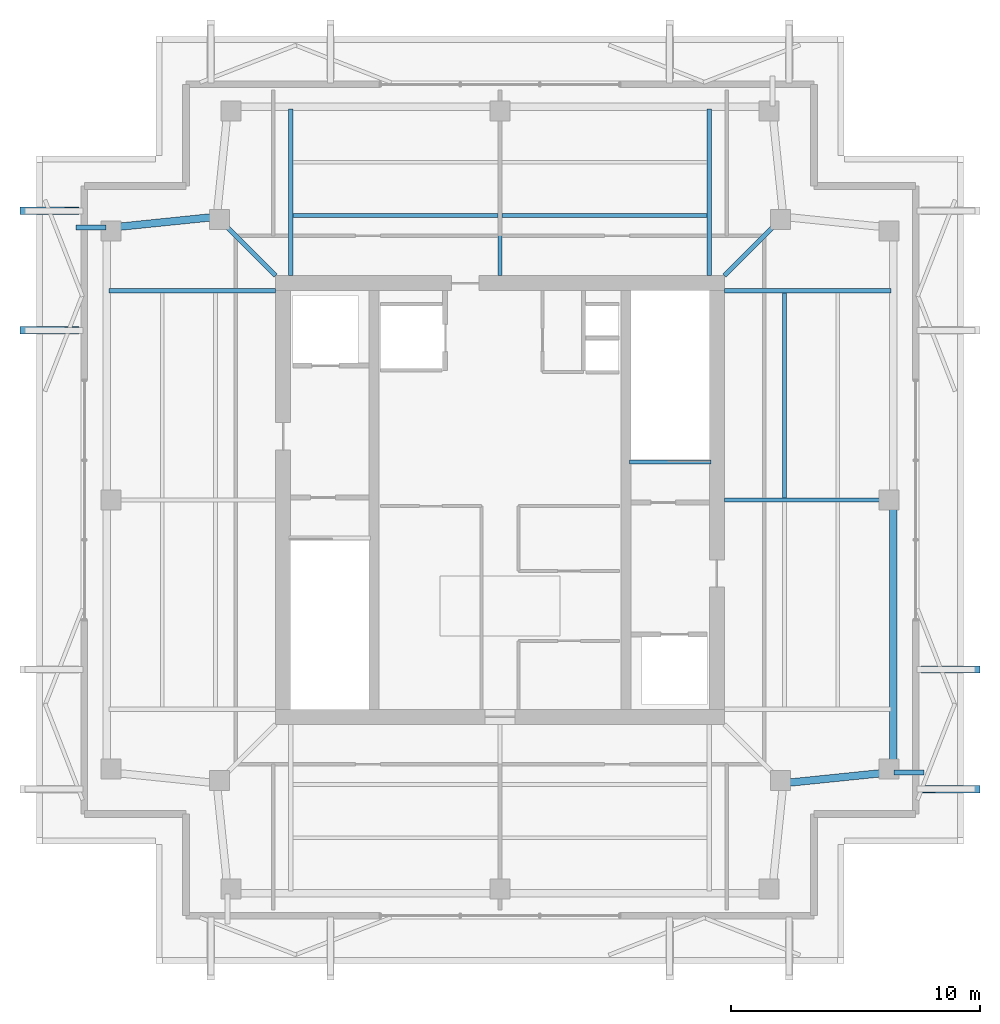
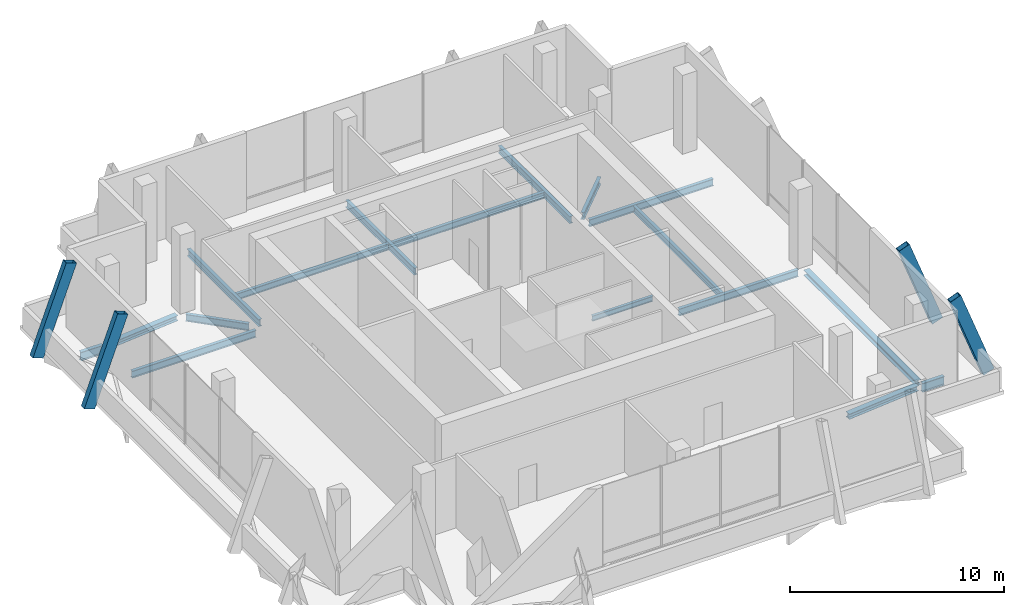
# One storey, part 7 of 15: 17 beams, 4 members.
"""IFC4 building model written with IfcOpenShell, lengths in metres."""

import ifcopenshell
import ifcopenshell.guid

model = None  # the IFC model being written
_history = None  # IfcOwnerHistory: only IFC2X3 demands one
_inside = {}  # id of a spatial element -> (the spatial element, [elements in it])
_under = {}  # id of a project, library or spatial element -> (it, [spatial elements below it])
_declared = {}  # id of a project -> (the project, [libraries it declares])
_typed = {}  # id of a type object -> (the type object, [elements of that type])
_made_of = {}  # id of a material, layer set ... -> (it, [elements and type objects made of it])


def new_model(schema):
    """Start an empty IFC model of exactly this schema.

    Asked for "IFC4X3", IfcOpenShell would pick the latest addendum, in which some entities
    have other attributes; the version numbers below select the first issue.
    IFC2X3 requires an IfcOwnerHistory on every rooted entity: one is made here for all.
    """
    global model, _history
    if schema == "IFC4X3":
        model = ifcopenshell.file(schema_version=(4, 3, 0, 0))
    else:
        model = ifcopenshell.file(schema=schema)
    _inside.clear()
    _under.clear()
    _declared.clear()
    _typed.clear()
    _made_of.clear()
    _history = None
    if model.schema == "IFC2X3":
        org = make("IfcOrganization", Name="unknown")
        user = make(
            "IfcPersonAndOrganization",
            ThePerson=make("IfcPerson", FamilyName="unknown"),
            TheOrganization=org,
        )
        app = make(
            "IfcApplication",
            ApplicationDeveloper=org,
            Version="unknown",
            ApplicationFullName="unknown",
            ApplicationIdentifier="unknown",
        )
        _history = make(
            "IfcOwnerHistory",
            OwningUser=user,
            OwningApplication=app,
            ChangeAction="ADDED",
            CreationDate=0,
        )
    return model


def make(cls, **values):
    """One entity of the class cls with the attributes given. An attribute that is None is left unset."""
    return model.create_entity(
        cls, **{name: value for name, value in values.items() if value is not None}
    )


def rooted(cls, **values):
    """An entity with a GlobalId (a new one), such as an element, a storey or a relation."""
    return make(cls, GlobalId=ifcopenshell.guid.new(), OwnerHistory=_history, **values)


def si_unit(unit_type, name, prefix=None):
    """IfcSIUnit, for example si_unit("LENGTHUNIT", "METRE", prefix="MILLI")."""
    return make("IfcSIUnit", UnitType=unit_type, Prefix=prefix, Name=name)


def assignment(units):
    """IfcUnitAssignment: the units of a project."""
    return None if units is None else make("IfcUnitAssignment", Units=units)


def point(xyz):
    """IfcCartesianPoint."""
    return None if xyz is None else make("IfcCartesianPoint", Coordinates=xyz)


def direction(xyz):
    """IfcDirection."""
    return None if xyz is None else make("IfcDirection", DirectionRatios=xyz)


def frame(location, z_axis=None, x_axis=None):
    """IfcAxis2Placement3D, a coordinate frame: its origin and axes. An axis left out is left unset."""
    return make(
        "IfcAxis2Placement3D",
        Location=point(location),
        Axis=direction(z_axis),
        RefDirection=direction(x_axis),
    )


def frame_2d(location, x_axis=None):
    """IfcAxis2Placement2D, a coordinate frame in the plane: its origin and x axis."""
    return make(
        "IfcAxis2Placement2D", Location=point(location), RefDirection=direction(x_axis)
    )


def origin():
    """The frame at (0, 0, 0) with its axes left unset."""
    return frame((0.0, 0.0, 0.0))


def origin_2d():
    """The frame at (0, 0) in the plane with its x axis left unset."""
    return frame_2d((0.0, 0.0))


def place(relative_to, where):
    """IfcLocalPlacement: puts the frame where relative to a parent placement (None: the world)."""
    return make(
        "IfcLocalPlacement", PlacementRelTo=relative_to, RelativePlacement=where
    )


def context(
    kind, dimensions, precision=None, world=None, true_north=None, identifier=None
):
    """IfcGeometricRepresentationContext, for example the 3D "Model" context."""
    return make(
        "IfcGeometricRepresentationContext",
        ContextIdentifier=identifier,
        ContextType=kind,
        CoordinateSpaceDimension=dimensions,
        Precision=precision,
        WorldCoordinateSystem=world,
        TrueNorth=true_north,
    )


def subcontext(parent, identifier, kind, view, scale=None):
    """IfcGeometricRepresentationSubContext, for example "Body" below "Model"."""
    return make(
        "IfcGeometricRepresentationSubContext",
        ContextIdentifier=identifier,
        ContextType=kind,
        ParentContext=parent,
        TargetScale=scale,
        TargetView=view,
    )


def project(units=None, contexts=None):
    """IfcProject with its units and contexts."""
    return rooted(
        "IfcProject",
        Name="project",
        RepresentationContexts=contexts,
        UnitsInContext=assignment(units),
    )


def spatial(cls, under=None, at=None, **own):
    """A site, building, storey or space (cls), placed at a placement, below another one or the project."""
    s = rooted(cls, ObjectPlacement=at, **own)
    if under is not None:
        _under.setdefault(under.id(), (under, []))[1].append(s)
    return s


def profile(cls, at=None, kind="AREA", **sizes):
    """A parametric profile (cls). Its sizes go by their IFC names, for example OverallWidth=200.0."""
    return make(cls, ProfileType=kind, Position=at, **sizes)


def hollow_rectangle(**sizes):
    """IfcRectangleHollowProfileDef."""
    return profile("IfcRectangleHollowProfileDef", **sizes)


def i_section(**sizes):
    """IfcIShapeProfileDef."""
    return profile("IfcIShapeProfileDef", **sizes)


def extrude(swept, where, along, depth):
    """IfcExtrudedAreaSolid: the profile swept, set in the frame where, extruded along a direction by depth."""
    return make(
        "IfcExtrudedAreaSolid",
        SweptArea=swept,
        Position=where,
        ExtrudedDirection=direction(along),
        Depth=depth,
    )


def shape(context_of_items, identifier, shape_type, items):
    """IfcShapeRepresentation: the items that make up one representation, for example the "Body"."""
    return make(
        "IfcShapeRepresentation",
        ContextOfItems=context_of_items,
        RepresentationIdentifier=identifier,
        RepresentationType=shape_type,
        Items=items,
    )


def material(Name=None, Category=None):
    """IfcMaterial."""
    return make("IfcMaterial", Name=Name, Category=Category)


def material_profile(
    of_material, cross_section, Name=None, Category=None, Priority=None
):
    """IfcMaterialProfile: a cross section and its material."""
    return make(
        "IfcMaterialProfile",
        Name=Name,
        Material=of_material,
        Profile=cross_section,
        Priority=Priority,
        Category=Category,
    )


def profile_set(profiles, Name=None, composite=None):
    """IfcMaterialProfileSet."""
    return make(
        "IfcMaterialProfileSet",
        Name=Name,
        MaterialProfiles=profiles,
        CompositeProfile=composite,
    )


def made_of(thing, what):
    """Note that an element or type object is made of a material, layer set ...; save() writes the relation."""
    if what is not None:
        _made_of.setdefault(what.id(), (what, []))[1].append(thing)
    return thing


def type_object(cls, material=None, **own):
    """A type object (cls), such as IfcWallType, which elements share."""
    return made_of(rooted(cls, **own), material)


def element(
    cls,
    number,
    at=None,
    inside=None,
    cuts=None,
    type_object=None,
    material=None,
    context=None,
    identifier="Body",
    shape_type=None,
    held_by="IfcProductDefinitionShape",
    body=None,
    shapes=None,
    **own,
):
    """One element of the class cls, such as IfcWall. Its Tag is "e" and its number.

    at: its placement. inside: the storey or other place that contains it. cuts: it is an
    opening in that element (IfcRelVoidsElement). A single representation is given by context,
    identifier, shape_type and body (its items); several are given by shapes. held_by: the class
    of the entity that holds the representations. save() writes the other relations.
    """
    e = rooted(cls, Tag="e%d" % number, ObjectPlacement=at, **own)
    if body is not None:
        shapes = [shape(context, identifier, shape_type, body)]
    if shapes is not None:
        e.Representation = make(held_by, Representations=shapes)
    if inside is not None:
        _inside.setdefault(inside.id(), (inside, []))[1].append(e)
    if cuts is not None:
        rooted(
            "IfcRelVoidsElement", RelatingBuildingElement=cuts, RelatedOpeningElement=e
        )
    if type_object is not None:
        _typed.setdefault(type_object.id(), (type_object, []))[1].append(e)
    return made_of(e, material)


def aggregate(whole, parts):
    """IfcRelAggregates: a whole, such as a stair, and the parts it consists of."""
    return rooted("IfcRelAggregates", RelatingObject=whole, RelatedObjects=parts)


def save(model, path):
    """Write the relations noted so far, then the file.

    IfcRelAggregates (storeys below a building ...), IfcRelContainedInSpatialStructure (elements
    in a storey), IfcRelDefinesByType, IfcRelAssociatesMaterial and IfcRelDeclares: one each for
    every whole, place, type object, material and project.
    """
    for whole, parts in _under.values():
        aggregate(whole, parts)
    for where, things in _inside.values():
        rooted(
            "IfcRelContainedInSpatialStructure",
            RelatedElements=things,
            RelatingStructure=where,
        )
    for kind, things in _typed.values():
        rooted("IfcRelDefinesByType", RelatedObjects=things, RelatingType=kind)
    for what, things in _made_of.values():
        rooted("IfcRelAssociatesMaterial", RelatedObjects=things, RelatingMaterial=what)
    for by, libraries in _declared.values():
        rooted("IfcRelDeclares", RelatingContext=by, RelatedDefinitions=libraries)
    model.write(path)


model = new_model("IFC4")

# Units and contexts
model_context = context("Model", 3, precision=1e-05, world=origin(), true_north=direction((0.0, 1.0)))
body_context = subcontext(model_context, "Body", "Model", "MODEL_VIEW")
ifc_project = project(units=[si_unit("LENGTHUNIT", "METRE"), si_unit("AREAUNIT", "SQUARE_METRE"), si_unit("VOLUMEUNIT", "CUBIC_METRE"), si_unit("PLANEANGLEUNIT", "RADIAN"), si_unit("MASSUNIT", "GRAM", prefix="KILO")], contexts=[model_context])

# Site, building, storey
site_placement = place(None, origin())
site = spatial("IfcSite", under=ifc_project, at=site_placement, CompositionType="ELEMENT")
building_placement = place(site_placement, origin())
building = spatial("IfcBuilding", under=site, at=building_placement, Name="Belovzor Exchange Tower", CompositionType="ELEMENT")
storey_placement = place(building_placement, frame((0.0, 0.0, 373.800048828125)))
storey = spatial("IfcBuildingStorey", under=building, at=storey_placement, Name="L93", CompositionType="ELEMENT", Elevation=373.800048828125)

# Beams
ifc_material_1 = material(Name="Steel S355", Category="steel")
ifc_material_profile_1 = material_profile(ifc_material_1, i_section(OverallWidth=0.300048828125, OverallDepth=0.300048828125, WebThickness=0.010986328125, FlangeThickness=0.01904296875, at=origin_2d()))
ifc_profile_set_1 = profile_set([ifc_material_profile_1], Name="Steel S355")
beam_type_1 = type_object("IfcBeamType", Name="Crown Plant Primary Beam HEB 300", PredefinedType="BEAM", material=ifc_profile_set_1)
beam_1_placement = place(storey_placement, frame((40.381103515625, 17.4599609375, -0.449951171875), z_axis=(0.994808635293, 0.101763348742, 0.0), x_axis=(-0.101763348742, 0.994808635293, 0.0)))
element("IfcBeam", 1, at=beam_1_placement, inside=storey, type_object=beam_type_1, Name="FG-CR Crown Plant Primary Beam HEB 300", PredefinedType="BEAM", context=body_context, shape_type="SweptSolid", body=[
    extrude(i_section(OverallWidth=0.300048828125, OverallDepth=0.300048828125, WebThickness=0.010986328125, FlangeThickness=0.01904296875, at=origin_2d()), origin(), (0.0, 0.0, 1.0), 3.98974609375),
])
beam_2_placement = place(storey_placement, frame((44.569091796875, 18.10791015625, -0.449951171875), z_axis=(0.0, 1.0, 0.0), x_axis=(-1.0, 0.0, 0.0)))
element("IfcBeam", 2, at=beam_2_placement, inside=storey, type_object=beam_type_1, Name="FG-CR Crown Plant Primary Beam HEB 300", PredefinedType="BEAM", context=body_context, shape_type="SweptSolid", body=[
    extrude(i_section(OverallWidth=0.300048828125, OverallDepth=0.300048828125, WebThickness=0.010986328125, FlangeThickness=0.01904296875, at=origin_2d()), origin(), (0.0, 0.0, 1.0), 10.47216796875),
])
beam_3_placement = place(storey_placement, frame((17.218994140625, 40.139892578125, -0.449951171875), z_axis=(-0.994808635293, -0.101763348742, 0.0), x_axis=(0.101763348742, -0.994808635293, 0.0)))
element("IfcBeam", 3, at=beam_3_placement, inside=storey, type_object=beam_type_1, Name="FG-CR Crown Plant Primary Beam HEB 300", PredefinedType="BEAM", context=body_context, shape_type="SweptSolid", body=[
    extrude(i_section(OverallWidth=0.300048828125, OverallDepth=0.300048828125, WebThickness=0.010986328125, FlangeThickness=0.01904296875, at=origin_2d()), origin(), (0.0, 0.0, 1.0), 3.98974609375),
])
ifc_material_2 = material(Name="Steel S355", Category="steel")
ifc_material_profile_2 = material_profile(ifc_material_2, i_section(OverallWidth=0.199951171875, OverallDepth=0.5, WebThickness=0.01025390625, FlangeThickness=0.01611328125, at=origin_2d()))
ifc_profile_set_2 = profile_set([ifc_material_profile_2], Name="Steel S355")
beam_type_2 = type_object("IfcBeamType", Name="Planted Balcony Cantilever Beam IPE 500", PredefinedType="BEAM", material=ifc_profile_set_2)
beam_4_placement = place(storey_placement, frame((12.993896484375, 39.738037109375, -0.550048828125), z_axis=(-1.0, 0.0, 0.0), x_axis=(0.0, -1.0, 0.0)))
element("IfcBeam", 4, at=beam_4_placement, inside=storey, type_object=beam_type_2, Name="BC-500 Planted Balcony Cantilever Beam IPE 500", PredefinedType="BEAM", context=body_context, shape_type="SweptSolid", body=[
    extrude(i_section(OverallWidth=0.199951171875, OverallDepth=0.5, WebThickness=0.01025390625, FlangeThickness=0.01611328125, at=origin_2d()), origin(), (0.0, 0.0, 1.0), 1.19384765625),
])
beam_5_placement = place(storey_placement, frame((44.60595703125, 17.863037109375, -0.550048828125), z_axis=(1.0, 0.0, 0.0), x_axis=(0.0, 1.0, 0.0)))
element("IfcBeam", 5, at=beam_5_placement, inside=storey, type_object=beam_type_2, Name="BC-500 Planted Balcony Cantilever Beam IPE 500", PredefinedType="BEAM", context=body_context, shape_type="SweptSolid", body=[
    extrude(i_section(OverallWidth=0.199951171875, OverallDepth=0.5, WebThickness=0.01025390625, FlangeThickness=0.01611328125, at=origin_2d()), origin(), (0.0, 0.0, 1.0), 1.194091796875),
])
ifc_material_3 = material(Name="Steel S355", Category="steel")
ifc_material_profile_3 = material_profile(ifc_material_3, i_section(OverallWidth=0.169921875, OverallDepth=0.360107421875, WebThickness=0.008056640625, FlangeThickness=0.0126953125, at=origin_2d()))
ifc_profile_set_3 = profile_set([ifc_material_profile_3], Name="Steel S355")
beam_type_3 = type_object("IfcBeamType", Name="Secondary Infill Floor Joist IPE 360", PredefinedType="BEAM", material=ifc_profile_set_3)
beam_6_placement = place(storey_placement, frame((20.489990234375, 40.2099609375, -0.47998046875), z_axis=(1.0, 0.0, 0.0), x_axis=(0.0, 1.0, 0.0)))
element("IfcBeam", 6, at=beam_6_placement, inside=storey, type_object=beam_type_3, Name="FJ-360 Secondary Infill Floor Joist IPE 360", PredefinedType="BEAM", context=body_context, shape_type="SweptSolid", body=[
    extrude(i_section(OverallWidth=0.169921875, OverallDepth=0.360107421875, WebThickness=0.008056640625, FlangeThickness=0.0126953125, at=origin_2d()), origin(), (0.0, 0.0, 1.0), 8.219970703125),
])
for number, where, z_axis, x_axis, name in (
    (7, (28.889892578125, 40.2099609375, -0.47998046875), (1.0, 0.0, 0.0), (0.0, 1.0, 0.0), "FJ-360 Secondary Infill Floor Joist IPE 360"),
    (8, (40.2099609375, 28.889892578125, -0.47998046875), (0.0, 1.0, 0.0), (-1.0, 0.0, 0.0), "FJ-360 Secondary Infill Floor Joist IPE 360"),
):
    element("IfcBeam", number, at=place(storey_placement, frame(where, z_axis=z_axis, x_axis=x_axis)), inside=storey, type_object=beam_type_3, Name=name, PredefinedType="BEAM", context=body_context, shape_type="SweptSolid", body=[
        extrude(i_section(OverallWidth=0.169921875, OverallDepth=0.360107421875, WebThickness=0.008056640625, FlangeThickness=0.0126953125, at=origin_2d()), origin(), (0.0, 0.0, 1.0), 8.22021484375),
    ])
ifc_material_4 = material(Name="Steel S355", Category="steel")
ifc_material_profile_4 = material_profile(ifc_material_4, i_section(OverallWidth=0.14990234375, OverallDepth=0.300048828125, WebThickness=0.007080078125, FlangeThickness=0.0107421875, at=origin_2d()))
ifc_profile_set_4 = profile_set([ifc_material_profile_4], Name="Steel S355")
beam_type_4 = type_object("IfcBeamType", Name="Secondary Trim Floor Joist IPE 300", PredefinedType="BEAM", material=ifc_profile_set_4)
beam_7_placement = place(storey_placement, frame((37.260009765625, 30.320068359375, -0.449951171875), z_axis=(-1.0, 0.0, 0.0), x_axis=(0.0, -1.0, 0.0)))
element("IfcBeam", 9, at=beam_7_placement, inside=storey, type_object=beam_type_4, Name="FJ-300 Secondary Trim Floor Joist IPE 300", PredefinedType="BEAM", context=body_context, shape_type="SweptSolid", body=[
    extrude(i_section(OverallWidth=0.14990234375, OverallDepth=0.300048828125, WebThickness=0.007080078125, FlangeThickness=0.0107421875, at=origin_2d()), origin(), (0.0, 0.0, 1.0), 3.27001953125),
])

# Members
ifc_material_5 = material(Name="Extruded Architectural Terracotta on Steel S355 Carrier", Category="masonry")
ifc_material_profile_5 = material_profile(ifc_material_5, hollow_rectangle(XDim=0.300048828125, YDim=0.60009765625, WallThickness=0.01611328125, at=origin_2d()))
ifc_profile_set_5 = profile_set([ifc_material_profile_5], Name="Extruded Architectural Terracotta on Steel S355 Carrier")
member_type = type_object("IfcMemberType", Name="Upper Crown Terracotta Fin Assembly 550", PredefinedType="USERDEFINED", material=ifc_profile_set_5)
for number, where, z_axis, x_axis, name in (
    (10, (47.77490234375, 17.199951171875, -0.300048828125), (-0.351086907552, 0.0, 0.93634287702), (0.0, -1.0, 0.0), "FIN-TC055 Terracotta Facade Fin L93 E1"),
    (11, (47.77490234375, 22.0, -0.300048828125), (-0.351086907552, 0.0, 0.93634287702), (0.0, -1.0, 0.0), "FIN-TC055 Terracotta Facade Fin L93 E2"),
    (12, (9.824951171875, 35.60009765625, -0.300048828125), (0.351128660605, 0.0, 0.936327220421), (0.0, 1.0, 0.0), "FIN-TC055 Terracotta Facade Fin L93 W3"),
    (13, (9.824951171875, 40.39990234375, -0.300048828125), (0.351128660605, 0.0, 0.936327220421), (0.0, 1.0, 0.0), "FIN-TC055 Terracotta Facade Fin L93 W4"),
):
    element("IfcMember", number, at=place(storey_placement, frame(where, z_axis=z_axis, x_axis=x_axis)), inside=storey, type_object=member_type, Name=name, ObjectType="FIN", PredefinedType="USERDEFINED", context=body_context, shape_type="SweptSolid", body=[
        extrude(hollow_rectangle(XDim=0.300048828125, YDim=0.60009765625, WallThickness=0.01611328125, at=origin_2d()), origin(), (0.0, 0.0, 1.0), 5.12646484375),
    ])

# Beams
ifc_material_6 = material(Name="Steel S355", Category="steel")
ifc_material_profile_6 = material_profile(ifc_material_6, i_section(OverallWidth=0.179931640625, OverallDepth=0.39990234375, WebThickness=0.008544921875, FlangeThickness=0.013427734375, at=origin_2d()))
ifc_profile_set_6 = profile_set([ifc_material_profile_6], Name="Steel S355")
beam_type_5 = type_object("IfcBeamType", Name="Zone 5-6 Radial Composite Floor Beam IPE 400", PredefinedType="BEAM", material=ifc_profile_set_6)
beam_8_placement = place(storey_placement, frame((20.39990234375, 37.800048828125, -0.5), z_axis=(0.0, 1.0, 0.0), x_axis=(-1.0, 0.0, 0.0)))
element("IfcBeam", 14, at=beam_8_placement, inside=storey, type_object=beam_type_5, Name="FB-400 Zone 5-6 Radial Composite Floor Beam IPE 400", PredefinedType="BEAM", context=body_context, shape_type="SweptSolid", body=[
    extrude(i_section(OverallWidth=0.179931640625, OverallDepth=0.39990234375, WebThickness=0.008544921875, FlangeThickness=0.013427734375, at=origin_2d()), origin(), (0.0, 0.0, 1.0), 6.69384765625),
])
beam_9_placement = place(storey_placement, frame((28.800048828125, 37.800048828125, -0.5), z_axis=(0.0, 1.0, 0.0), x_axis=(-1.0, 0.0, 0.0)))
element("IfcBeam", 15, at=beam_9_placement, inside=storey, type_object=beam_type_5, Name="FB-400 Zone 5-6 Radial Composite Floor Beam IPE 400", PredefinedType="BEAM", context=body_context, shape_type="SweptSolid", body=[
    extrude(i_section(OverallWidth=0.179931640625, OverallDepth=0.39990234375, WebThickness=0.008544921875, FlangeThickness=0.013427734375, at=origin_2d()), origin(), (0.0, 0.0, 1.0), 6.43505859375),
])
beam_10_placement = place(storey_placement, frame((37.199951171875, 37.800048828125, -0.5), z_axis=(0.0, 1.0, 0.0), x_axis=(-1.0, 0.0, 0.0)))
element("IfcBeam", 16, at=beam_10_placement, inside=storey, type_object=beam_type_5, Name="FB-400 Zone 5-6 Radial Composite Floor Beam IPE 400", PredefinedType="BEAM", context=body_context, shape_type="SweptSolid", body=[
    extrude(i_section(OverallWidth=0.179931640625, OverallDepth=0.39990234375, WebThickness=0.008544921875, FlangeThickness=0.013427734375, at=origin_2d()), origin(), (0.0, 0.0, 1.0), 6.69384765625),
])
beam_11_placement = place(storey_placement, frame((19.800048828125, 37.199951171875, -0.5), z_axis=(-1.0, 0.0, 0.0), x_axis=(0.0, -1.0, 0.0)))
element("IfcBeam", 17, at=beam_11_placement, inside=storey, type_object=beam_type_5, Name="FB-400 Zone 5-6 Radial Composite Floor Beam IPE 400", PredefinedType="BEAM", context=body_context, shape_type="SweptSolid", body=[
    extrude(i_section(OverallWidth=0.179931640625, OverallDepth=0.39990234375, WebThickness=0.008544921875, FlangeThickness=0.013427734375, at=origin_2d()), origin(), (0.0, 0.0, 1.0), 6.694091796875),
])
beam_12_placement = place(storey_placement, frame((37.800048828125, 28.800048828125, -0.5), z_axis=(1.0, 0.0, 0.0), x_axis=(0.0, 1.0, 0.0)))
element("IfcBeam", 18, at=beam_12_placement, inside=storey, type_object=beam_type_5, Name="FB-400 Zone 5-6 Radial Composite Floor Beam IPE 400", PredefinedType="BEAM", context=body_context, shape_type="SweptSolid", body=[
    extrude(i_section(OverallWidth=0.179931640625, OverallDepth=0.39990234375, WebThickness=0.008544921875, FlangeThickness=0.013427734375, at=origin_2d()), origin(), (0.0, 0.0, 1.0), 6.43505859375),
])
beam_13_placement = place(storey_placement, frame((37.800048828125, 37.199951171875, -0.5), z_axis=(1.0, 0.0, 0.0), x_axis=(0.0, 1.0, 0.0)))
element("IfcBeam", 19, at=beam_13_placement, inside=storey, type_object=beam_type_5, Name="FB-400 Zone 5-6 Radial Composite Floor Beam IPE 400", PredefinedType="BEAM", context=body_context, shape_type="SweptSolid", body=[
    extrude(i_section(OverallWidth=0.179931640625, OverallDepth=0.39990234375, WebThickness=0.008544921875, FlangeThickness=0.013427734375, at=origin_2d()), origin(), (0.0, 0.0, 1.0), 6.69384765625),
])
beam_14_placement = place(storey_placement, frame((37.800048828125, 37.800048828125, -0.5), z_axis=(0.707106781187, 0.707106781187, 0.0), x_axis=(-0.707106781187, 0.707106781187, 0.0)))
element("IfcBeam", 20, at=beam_14_placement, inside=storey, type_object=beam_type_5, Name="FB-400 Zone 5-6 Radial Composite Floor Beam IPE 400", PredefinedType="BEAM", context=body_context, shape_type="SweptSolid", body=[
    extrude(i_section(OverallWidth=0.179931640625, OverallDepth=0.39990234375, WebThickness=0.008544921875, FlangeThickness=0.013427734375, at=origin_2d()), origin(), (0.0, 0.0, 1.0), 3.057373046875),
])
beam_15_placement = place(storey_placement, frame((19.800048828125, 37.800048828125, -0.5), z_axis=(-0.707146704783, 0.707066855336, 0.0), x_axis=(-0.707066855336, -0.707146704783, 0.0)))
element("IfcBeam", 21, at=beam_15_placement, inside=storey, type_object=beam_type_5, Name="FB-400 Zone 5-6 Radial Composite Floor Beam IPE 400", PredefinedType="BEAM", context=body_context, shape_type="SweptSolid", body=[
    extrude(i_section(OverallWidth=0.179931640625, OverallDepth=0.39990234375, WebThickness=0.008544921875, FlangeThickness=0.013427734375, at=origin_2d()), origin(), (0.0, 0.0, 1.0), 3.0576171875),
])

save(model, "model.ifc")
